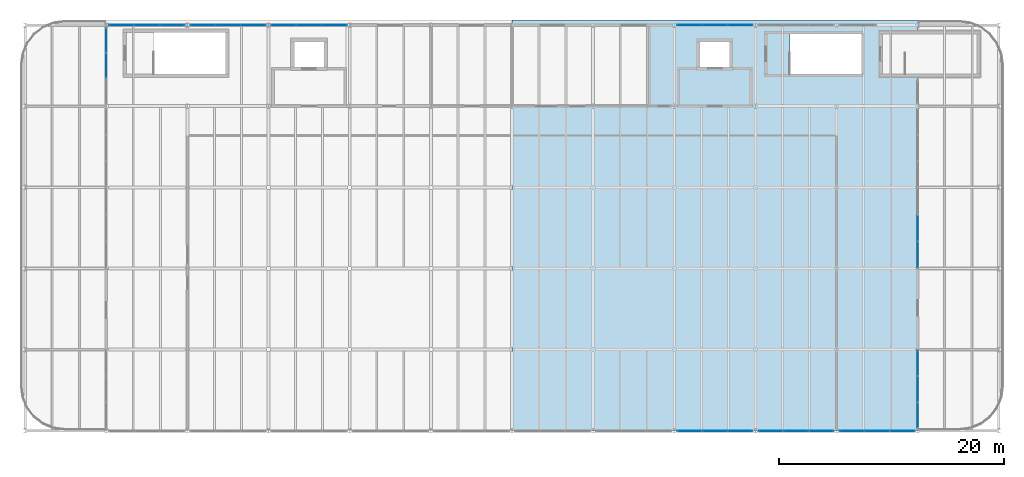
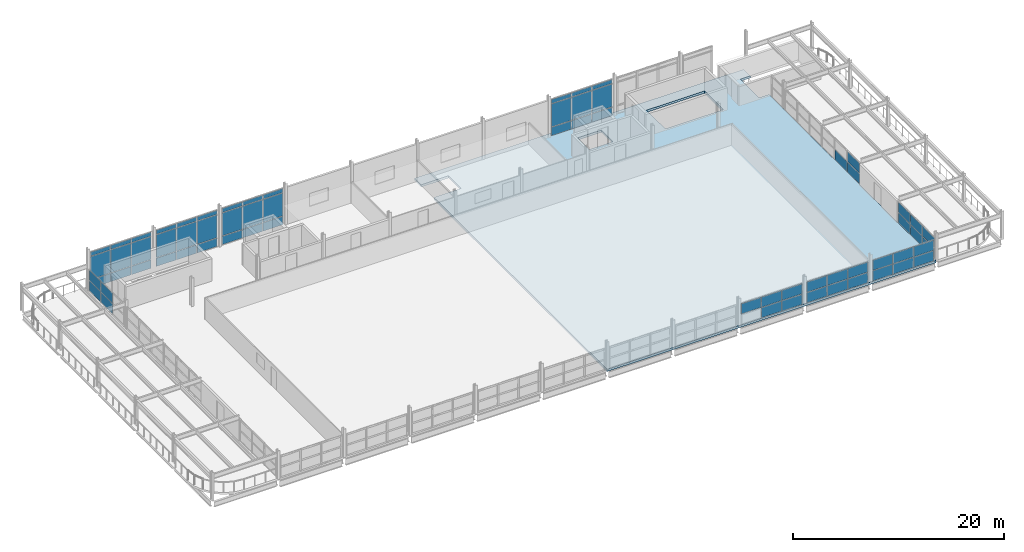
# One storey, part 19 of 25: 66 plates, 1 slab, 10 elements without a shape of their own.
"""IFC4 building model written with IfcOpenShell, lengths in metres."""

from ifc_helpers import new_model, si_unit, direction, frame, origin, origin_2d, place, context, subcontext, project, spatial, polyline, rectangle, outline, extrude, material, layer, layer_set, type_object, element, aggregate, save


model = new_model("IFC4")

# Units and contexts
model_context = context("Model", 3, precision=1e-05, world=origin(), true_north=direction((0.0, 1.0)))
body_context = subcontext(model_context, "Body", "Model", "MODEL_VIEW")
ifc_project = project(units=[si_unit("LENGTHUNIT", "METRE"), si_unit("AREAUNIT", "SQUARE_METRE"), si_unit("VOLUMEUNIT", "CUBIC_METRE"), si_unit("PLANEANGLEUNIT", "RADIAN"), si_unit("MASSUNIT", "GRAM", prefix="KILO")], contexts=[model_context])

# Site, building, storey
site_placement = place(None, origin())
site = spatial("IfcSite", under=ifc_project, at=site_placement, CompositionType="ELEMENT")
building_placement = place(site_placement, origin())
building = spatial("IfcBuilding", under=site, at=building_placement, Name="Vaelcorin Mobility Hub", CompositionType="ELEMENT")
storey_placement = place(building_placement, frame((0.0, 0.0, 21.0)))
storey = spatial("IfcBuildingStorey", under=building, at=storey_placement, Name="L05", CompositionType="ELEMENT", Elevation=21.0)

# Curtain wall, plates
ifc_material_1 = material(Name="Anodised aluminium 6063-T6", Category="aluminium")
curtain_wall_type_1 = type_object("IfcCurtainWallType", Name="CW-SPT-A", PredefinedType="NOTDEFINED", material=ifc_material_1)
curtain_wall_1_placement = place(storey_placement, origin())
curtain_wall_1 = element("IfcCurtainWall", 1, at=curtain_wall_1_placement, inside=storey, type_object=curtain_wall_type_1, Name="L05 Curtain Wall CW-V3-S-08", PredefinedType="NOTDEFINED")
ifc_material_2 = material(Name="Low-E solar-control insulated glazing", Category="glass")
ifc_layer_1 = layer(ifc_material_2, 0.028076171875)
ifc_layer_set_1 = layer_set([ifc_layer_1], Name="Low-E solar-control insulated glazing")
plate_type_1 = type_object("IfcPlateType", Name="CW-PAN-GLZ28", PredefinedType="CURTAIN_PANEL", material=ifc_layer_set_1)
plate_1_placement = place(storey_placement, frame((99.438232421875, 84.0, 0.06005859375), z_axis=(0.0, 0.0, 1.0), x_axis=(-1.0, 0.0, 0.0)))
plate_1 = element("IfcPlate", 2, at=plate_1_placement, type_object=plate_type_1, Name="CW5 panel 1.1", PredefinedType="CURTAIN_PANEL", context=body_context, shape_type="SweptSolid", body=[
    extrude(rectangle(XDim=2.163330078125, YDim=0.028076171875, at=origin_2d()), origin(), (0.0, 0.0, 1.0), 1.159912109375),
])
plate_2_placement = place(storey_placement, frame((99.438232421875, 84.0, 1.2802734375), z_axis=(0.0, 0.0, 1.0), x_axis=(-1.0, 0.0, 0.0)))
plate_2 = element("IfcPlate", 3, at=plate_2_placement, type_object=plate_type_1, Name="CW5 panel 1.2", PredefinedType="CURTAIN_PANEL", context=body_context, shape_type="SweptSolid", body=[
    extrude(rectangle(XDim=2.163330078125, YDim=0.028076171875, at=origin_2d()), origin(), (0.0, 0.0, 1.0), 1.159912109375),
])
plate_3_placement = place(storey_placement, frame((97.199951171875, 84.0, 0.06005859375), z_axis=(0.0, 0.0, 1.0), x_axis=(-1.0, 0.0, 0.0)))
plate_3 = element("IfcPlate", 4, at=plate_3_placement, type_object=plate_type_1, Name="CW5 panel 2.1", PredefinedType="CURTAIN_PANEL", context=body_context, shape_type="SweptSolid", body=[
    extrude(rectangle(XDim=2.193359375, YDim=0.028076171875, at=origin_2d()), origin(), (0.0, 0.0, 1.0), 1.159912109375),
])
plate_4_placement = place(storey_placement, frame((97.199951171875, 84.0, 1.2802734375), z_axis=(0.0, 0.0, 1.0), x_axis=(-1.0, 0.0, 0.0)))
plate_4 = element("IfcPlate", 5, at=plate_4_placement, type_object=plate_type_1, Name="CW5 panel 2.2", PredefinedType="CURTAIN_PANEL", context=body_context, shape_type="SweptSolid", body=[
    extrude(rectangle(XDim=2.193359375, YDim=0.028076171875, at=origin_2d()), origin(), (0.0, 0.0, 1.0), 1.159912109375),
])
plate_5_placement = place(storey_placement, frame((94.961669921875, 84.0, 1.2802734375), z_axis=(0.0, 0.0, 1.0), x_axis=(-1.0, 0.0, 0.0)))
plate_5 = element("IfcPlate", 6, at=plate_5_placement, type_object=plate_type_1, Name="CW5 panel 3.2", PredefinedType="CURTAIN_PANEL", context=body_context, shape_type="SweptSolid", body=[
    extrude(rectangle(XDim=2.163330078125, YDim=0.028076171875, at=origin_2d()), origin(), (0.0, 0.0, 1.0), 1.159912109375),
])
aggregate(curtain_wall_1, [plate_1, plate_2, plate_3, plate_4, plate_5])

curtain_wall_2_placement = place(storey_placement, origin())
curtain_wall_2 = element("IfcCurtainWall", 7, at=curtain_wall_2_placement, inside=storey, type_object=curtain_wall_type_1, Name="L05 Curtain Wall CW-V3-S-09", PredefinedType="NOTDEFINED")
plate_6_placement = place(storey_placement, frame((106.638427734375, 84.0, 0.06005859375), z_axis=(0.0, 0.0, 1.0), x_axis=(-1.0, 0.0, 0.0)))
plate_6 = element("IfcPlate", 8, at=plate_6_placement, type_object=plate_type_1, Name="CW5 panel 1.1", PredefinedType="CURTAIN_PANEL", context=body_context, shape_type="SweptSolid", body=[
    extrude(rectangle(XDim=2.163330078125, YDim=0.028076171875, at=origin_2d()), origin(), (0.0, 0.0, 1.0), 1.159912109375),
])
plate_7_placement = place(storey_placement, frame((106.638427734375, 84.0, 1.2802734375), z_axis=(0.0, 0.0, 1.0), x_axis=(-1.0, 0.0, 0.0)))
plate_7 = element("IfcPlate", 9, at=plate_7_placement, type_object=plate_type_1, Name="CW5 panel 1.2", PredefinedType="CURTAIN_PANEL", context=body_context, shape_type="SweptSolid", body=[
    extrude(rectangle(XDim=2.163330078125, YDim=0.028076171875, at=origin_2d()), origin(), (0.0, 0.0, 1.0), 1.159912109375),
])
plate_8_placement = place(storey_placement, frame((104.39990234375, 84.0, 0.06005859375), z_axis=(0.0, 0.0, 1.0), x_axis=(-1.0, 0.0, 0.0)))
plate_8 = element("IfcPlate", 10, at=plate_8_placement, type_object=plate_type_1, Name="CW5 panel 2.1", PredefinedType="CURTAIN_PANEL", context=body_context, shape_type="SweptSolid", body=[
    extrude(rectangle(XDim=2.193359375, YDim=0.028076171875, at=origin_2d()), origin(), (0.0, 0.0, 1.0), 1.159912109375),
])
plate_9_placement = place(storey_placement, frame((104.39990234375, 84.0, 1.2802734375), z_axis=(0.0, 0.0, 1.0), x_axis=(-1.0, 0.0, 0.0)))
plate_9 = element("IfcPlate", 11, at=plate_9_placement, type_object=plate_type_1, Name="CW5 panel 2.2", PredefinedType="CURTAIN_PANEL", context=body_context, shape_type="SweptSolid", body=[
    extrude(rectangle(XDim=2.193359375, YDim=0.028076171875, at=origin_2d()), origin(), (0.0, 0.0, 1.0), 1.159912109375),
])
plate_10_placement = place(storey_placement, frame((102.16162109375, 84.0, 0.06005859375), z_axis=(0.0, 0.0, 1.0), x_axis=(-1.0, 0.0, 0.0)))
plate_10 = element("IfcPlate", 12, at=plate_10_placement, type_object=plate_type_1, Name="CW5 panel 3.1", PredefinedType="CURTAIN_PANEL", context=body_context, shape_type="SweptSolid", body=[
    extrude(rectangle(XDim=2.163330078125, YDim=0.028076171875, at=origin_2d()), origin(), (0.0, 0.0, 1.0), 1.159912109375),
])
plate_11_placement = place(storey_placement, frame((102.16162109375, 84.0, 1.2802734375), z_axis=(0.0, 0.0, 1.0), x_axis=(-1.0, 0.0, 0.0)))
plate_11 = element("IfcPlate", 13, at=plate_11_placement, type_object=plate_type_1, Name="CW5 panel 3.2", PredefinedType="CURTAIN_PANEL", context=body_context, shape_type="SweptSolid", body=[
    extrude(rectangle(XDim=2.163330078125, YDim=0.028076171875, at=origin_2d()), origin(), (0.0, 0.0, 1.0), 1.159912109375),
])
aggregate(curtain_wall_2, [plate_6, plate_7, plate_8, plate_9, plate_10, plate_11])

curtain_wall_3_placement = place(storey_placement, origin())
curtain_wall_3 = element("IfcCurtainWall", 14, at=curtain_wall_3_placement, inside=storey, type_object=curtain_wall_type_1, Name="L05 Curtain Wall CW-V3-S-10", PredefinedType="NOTDEFINED")
plate_12_placement = place(storey_placement, frame((113.83837890625, 84.0, 0.06005859375), z_axis=(0.0, 0.0, 1.0), x_axis=(-1.0, 0.0, 0.0)))
plate_12 = element("IfcPlate", 15, at=plate_12_placement, type_object=plate_type_1, Name="CW5 panel 1.1", PredefinedType="CURTAIN_PANEL", context=body_context, shape_type="SweptSolid", body=[
    extrude(rectangle(XDim=2.163330078125, YDim=0.028076171875, at=origin_2d()), origin(), (0.0, 0.0, 1.0), 1.159912109375),
])
plate_13_placement = place(storey_placement, frame((113.83837890625, 84.0, 1.2802734375), z_axis=(0.0, 0.0, 1.0), x_axis=(-1.0, 0.0, 0.0)))
plate_13 = element("IfcPlate", 16, at=plate_13_placement, type_object=plate_type_1, Name="CW5 panel 1.2", PredefinedType="CURTAIN_PANEL", context=body_context, shape_type="SweptSolid", body=[
    extrude(rectangle(XDim=2.163330078125, YDim=0.028076171875, at=origin_2d()), origin(), (0.0, 0.0, 1.0), 1.159912109375),
])
plate_14_placement = place(storey_placement, frame((111.60009765625, 84.0, 0.06005859375), z_axis=(0.0, 0.0, 1.0), x_axis=(-1.0, 0.0, 0.0)))
plate_14 = element("IfcPlate", 17, at=plate_14_placement, type_object=plate_type_1, Name="CW5 panel 2.1", PredefinedType="CURTAIN_PANEL", context=body_context, shape_type="SweptSolid", body=[
    extrude(rectangle(XDim=2.193359375, YDim=0.028076171875, at=origin_2d()), origin(), (0.0, 0.0, 1.0), 1.159912109375),
])
plate_15_placement = place(storey_placement, frame((111.60009765625, 84.0, 1.2802734375), z_axis=(0.0, 0.0, 1.0), x_axis=(-1.0, 0.0, 0.0)))
plate_15 = element("IfcPlate", 18, at=plate_15_placement, type_object=plate_type_1, Name="CW5 panel 2.2", PredefinedType="CURTAIN_PANEL", context=body_context, shape_type="SweptSolid", body=[
    extrude(rectangle(XDim=2.193359375, YDim=0.028076171875, at=origin_2d()), origin(), (0.0, 0.0, 1.0), 1.159912109375),
])
plate_16_placement = place(storey_placement, frame((109.361572265625, 84.0, 0.06005859375), z_axis=(0.0, 0.0, 1.0), x_axis=(-1.0, 0.0, 0.0)))
plate_16 = element("IfcPlate", 19, at=plate_16_placement, type_object=plate_type_1, Name="CW5 panel 3.1", PredefinedType="CURTAIN_PANEL", context=body_context, shape_type="SweptSolid", body=[
    extrude(rectangle(XDim=2.163330078125, YDim=0.028076171875, at=origin_2d()), origin(), (0.0, 0.0, 1.0), 1.159912109375),
])
plate_17_placement = place(storey_placement, frame((109.361572265625, 84.0, 1.2802734375), z_axis=(0.0, 0.0, 1.0), x_axis=(-1.0, 0.0, 0.0)))
plate_17 = element("IfcPlate", 20, at=plate_17_placement, type_object=plate_type_1, Name="CW5 panel 3.2", PredefinedType="CURTAIN_PANEL", context=body_context, shape_type="SweptSolid", body=[
    extrude(rectangle(XDim=2.163330078125, YDim=0.028076171875, at=origin_2d()), origin(), (0.0, 0.0, 1.0), 1.159912109375),
])
aggregate(curtain_wall_3, [plate_12, plate_13, plate_14, plate_15, plate_16, plate_17])

curtain_wall_type_2 = type_object("IfcCurtainWallType", Name="CW-SPT-B", PredefinedType="NOTDEFINED", material=ifc_material_1)
curtain_wall_4_placement = place(storey_placement, origin())
curtain_wall_4 = element("IfcCurtainWall", 21, at=curtain_wall_4_placement, inside=storey, type_object=curtain_wall_type_2, Name="L05 Curtain Wall CW-V3-E-01", PredefinedType="NOTDEFINED")
plate_18_placement = place(storey_placement, frame((115.199951171875, 90.02001953125, 0.06005859375), z_axis=(0.0, 0.0, 1.0), x_axis=(0.0, -1.0, 0.0)))
plate_18 = element("IfcPlate", 22, at=plate_18_placement, type_object=plate_type_1, Name="CW6 panel 1.1", PredefinedType="CURTAIN_PANEL", context=body_context, shape_type="SweptSolid", body=[
    extrude(rectangle(XDim=2.236083984375, YDim=0.028076171875, at=origin_2d()), origin(), (0.0, 0.0, 1.0), 1.159912109375),
])
plate_19_placement = place(storey_placement, frame((115.199951171875, 90.02001953125, 1.2802734375), z_axis=(0.0, 0.0, 1.0), x_axis=(0.0, -1.0, 0.0)))
plate_19 = element("IfcPlate", 23, at=plate_19_placement, type_object=plate_type_1, Name="CW6 panel 1.2", PredefinedType="CURTAIN_PANEL", context=body_context, shape_type="SweptSolid", body=[
    extrude(rectangle(XDim=2.236083984375, YDim=0.028076171875, at=origin_2d()), origin(), (0.0, 0.0, 1.0), 1.159912109375),
])
plate_20_placement = place(storey_placement, frame((115.199951171875, 87.708984375, 0.06005859375), z_axis=(0.0, 0.0, 1.0), x_axis=(0.0, -1.0, 0.0)))
plate_20 = element("IfcPlate", 24, at=plate_20_placement, type_object=plate_type_1, Name="CW6 panel 2.1", PredefinedType="CURTAIN_PANEL", context=body_context, shape_type="SweptSolid", body=[
    extrude(rectangle(XDim=2.26611328125, YDim=0.028076171875, at=origin_2d()), origin(), (0.0, 0.0, 1.0), 1.159912109375),
])
plate_21_placement = place(storey_placement, frame((115.199951171875, 87.708984375, 1.2802734375), z_axis=(0.0, 0.0, 1.0), x_axis=(0.0, -1.0, 0.0)))
plate_21 = element("IfcPlate", 25, at=plate_21_placement, type_object=plate_type_1, Name="CW6 panel 2.2", PredefinedType="CURTAIN_PANEL", context=body_context, shape_type="SweptSolid", body=[
    extrude(rectangle(XDim=2.26611328125, YDim=0.028076171875, at=origin_2d()), origin(), (0.0, 0.0, 1.0), 1.159912109375),
])
plate_22_placement = place(storey_placement, frame((115.199951171875, 85.39794921875, 0.06005859375), z_axis=(0.0, 0.0, 1.0), x_axis=(0.0, -1.0, 0.0)))
plate_22 = element("IfcPlate", 26, at=plate_22_placement, type_object=plate_type_1, Name="CW6 panel 3.1", PredefinedType="CURTAIN_PANEL", context=body_context, shape_type="SweptSolid", body=[
    extrude(rectangle(XDim=2.236083984375, YDim=0.028076171875, at=origin_2d()), origin(), (0.0, 0.0, 1.0), 1.159912109375),
])
plate_23_placement = place(storey_placement, frame((115.199951171875, 85.39794921875, 1.2802734375), z_axis=(0.0, 0.0, 1.0), x_axis=(0.0, -1.0, 0.0)))
plate_23 = element("IfcPlate", 27, at=plate_23_placement, type_object=plate_type_1, Name="CW6 panel 3.2", PredefinedType="CURTAIN_PANEL", context=body_context, shape_type="SweptSolid", body=[
    extrude(rectangle(XDim=2.236083984375, YDim=0.028076171875, at=origin_2d()), origin(), (0.0, 0.0, 1.0), 1.159912109375),
])
aggregate(curtain_wall_4, [plate_18, plate_19, plate_20, plate_21, plate_22, plate_23])

curtain_wall_5_placement = place(storey_placement, origin())
curtain_wall_5 = element("IfcCurtainWall", 28, at=curtain_wall_5_placement, inside=storey, type_object=curtain_wall_type_2, Name="L05 Curtain Wall CW-V3-E-03", PredefinedType="NOTDEFINED")
plate_24_placement = place(storey_placement, frame((115.199951171875, 102.0, 0.06005859375), z_axis=(0.0, 0.0, 1.0), x_axis=(0.0, -1.0, 0.0)))
plate_24 = element("IfcPlate", 29, at=plate_24_placement, type_object=plate_type_1, Name="CW6 panel 2.1", PredefinedType="CURTAIN_PANEL", context=body_context, shape_type="SweptSolid", body=[
    extrude(rectangle(XDim=2.338623046875, YDim=0.028076171875, at=origin_2d()), origin(), (0.0, 0.0, 1.0), 1.159912109375),
])
plate_25_placement = place(storey_placement, frame((115.199951171875, 99.616455078125, 0.06005859375), z_axis=(0.0, 0.0, 1.0), x_axis=(0.0, -1.0, 0.0)))
plate_25 = element("IfcPlate", 30, at=plate_25_placement, type_object=plate_type_1, Name="CW6 panel 3.1", PredefinedType="CURTAIN_PANEL", context=body_context, shape_type="SweptSolid", body=[
    extrude(rectangle(XDim=2.30859375, YDim=0.028076171875, at=origin_2d()), origin(), (0.0, 0.0, 1.0), 1.159912109375),
])
plate_26_placement = place(storey_placement, frame((115.199951171875, 99.616455078125, 1.2802734375), z_axis=(0.0, 0.0, 1.0), x_axis=(0.0, -1.0, 0.0)))
plate_26 = element("IfcPlate", 31, at=plate_26_placement, type_object=plate_type_1, Name="CW6 panel 3.2", PredefinedType="CURTAIN_PANEL", context=body_context, shape_type="SweptSolid", body=[
    extrude(rectangle(XDim=2.30859375, YDim=0.028076171875, at=origin_2d()), origin(), (0.0, 0.0, 1.0), 1.159912109375),
])
aggregate(curtain_wall_5, [plate_24, plate_25, plate_26])

curtain_wall_6_placement = place(storey_placement, origin())
curtain_wall_6 = element("IfcCurtainWall", 32, at=curtain_wall_6_placement, inside=storey, type_object=curtain_wall_type_1, Name="L05 Curtain Wall CW-V3-W-05", PredefinedType="NOTDEFINED")
plate_27_placement = place(storey_placement, frame((43.199951171875, 116.39990234375, 0.06005859375), z_axis=(0.0, 0.0, 1.0), x_axis=(0.0, 1.0, 0.0)))
plate_27 = element("IfcPlate", 33, at=plate_27_placement, type_object=plate_type_1, Name="CW5 panel 2.1", PredefinedType="CURTAIN_PANEL", context=body_context, shape_type="SweptSolid", body=[
    extrude(rectangle(XDim=2.193359375, YDim=0.028076171875, at=origin_2d()), origin(), (0.0, 0.0, 1.0), 1.159912109375),
])
plate_28_placement = place(storey_placement, frame((43.199951171875, 116.39990234375, 1.2802734375), z_axis=(0.0, 0.0, 1.0), x_axis=(0.0, 1.0, 0.0)))
plate_28 = element("IfcPlate", 34, at=plate_28_placement, type_object=plate_type_1, Name="CW5 panel 2.2", PredefinedType="CURTAIN_PANEL", context=body_context, shape_type="SweptSolid", body=[
    extrude(rectangle(XDim=2.193359375, YDim=0.028076171875, at=origin_2d()), origin(), (0.0, 0.0, 1.0), 1.159912109375),
])
plate_29_placement = place(storey_placement, frame((43.199951171875, 118.638427734375, 0.06005859375), z_axis=(0.0, 0.0, 1.0), x_axis=(0.0, 1.0, 0.0)))
plate_29 = element("IfcPlate", 35, at=plate_29_placement, type_object=plate_type_1, Name="CW5 panel 3.1", PredefinedType="CURTAIN_PANEL", context=body_context, shape_type="SweptSolid", body=[
    extrude(rectangle(XDim=2.163330078125, YDim=0.028076171875, at=origin_2d()), origin(), (0.0, 0.0, 1.0), 1.159912109375),
])
plate_30_placement = place(storey_placement, frame((43.199951171875, 118.638427734375, 1.2802734375), z_axis=(0.0, 0.0, 1.0), x_axis=(0.0, 1.0, 0.0)))
plate_30 = element("IfcPlate", 36, at=plate_30_placement, type_object=plate_type_1, Name="CW5 panel 3.2", PredefinedType="CURTAIN_PANEL", context=body_context, shape_type="SweptSolid", body=[
    extrude(rectangle(XDim=2.163330078125, YDim=0.028076171875, at=origin_2d()), origin(), (0.0, 0.0, 1.0), 1.159912109375),
])
aggregate(curtain_wall_6, [plate_27, plate_28, plate_29, plate_30])

curtain_wall_7_placement = place(storey_placement, origin())
curtain_wall_7 = element("IfcCurtainWall", 37, at=curtain_wall_7_placement, inside=storey, type_object=curtain_wall_type_2, Name="L05 Curtain Wall CW-V3-N-01", PredefinedType="NOTDEFINED")
ifc_layer_2 = layer(ifc_material_2, 0.031982421875)
ifc_layer_set_2 = layer_set([ifc_layer_2], Name="Low-E solar-control insulated glazing")
plate_type_2 = type_object("IfcPlateType", Name="CW-PAN-GLZ32", PredefinedType="CURTAIN_PANEL", material=ifc_layer_set_2)
plate_31_placement = place(storey_placement, frame((44.561767578125, 120.0, 0.06005859375), z_axis=(0.0, 0.0, 1.0), x_axis=(1.0, 0.0, 0.0)))
plate_31 = element("IfcPlate", 38, at=plate_31_placement, type_object=plate_type_2, Name="CW6 panel 1.1", PredefinedType="CURTAIN_PANEL", context=body_context, shape_type="SweptSolid", body=[
    extrude(rectangle(XDim=2.163330078125, YDim=0.028076171875, at=origin_2d()), origin(), (0.0, 0.0, 1.0), 0.9599609375),
])
plate_32_placement = place(storey_placement, frame((44.561767578125, 120.0, 1.080078125), z_axis=(0.0, 0.0, 1.0), x_axis=(1.0, 0.0, 0.0)))
plate_32 = element("IfcPlate", 39, at=plate_32_placement, type_object=plate_type_2, Name="CW6 panel 1.2", PredefinedType="CURTAIN_PANEL", context=body_context, shape_type="SweptSolid", body=[
    extrude(rectangle(XDim=2.163330078125, YDim=0.028076171875, at=origin_2d()), origin(), (0.0, 0.0, 1.0), 2.639892578125),
])
plate_33_placement = place(storey_placement, frame((44.561767578125, 120.0, 3.780029296875), z_axis=(0.0, 0.0, 1.0), x_axis=(1.0, 0.0, 0.0)))
plate_33 = element("IfcPlate", 40, at=plate_33_placement, type_object=plate_type_2, Name="CW6 panel 1.3", PredefinedType="CURTAIN_PANEL", context=body_context, shape_type="SweptSolid", body=[
    extrude(rectangle(XDim=2.163330078125, YDim=0.028076171875, at=origin_2d()), origin(), (0.0, 0.0, 1.0), 0.4599609375),
])
plate_34_placement = place(storey_placement, frame((46.800048828125, 120.0, 0.06005859375), z_axis=(0.0, 0.0, 1.0), x_axis=(1.0, 0.0, 0.0)))
plate_34 = element("IfcPlate", 41, at=plate_34_placement, type_object=plate_type_2, Name="CW6 panel 2.1", PredefinedType="CURTAIN_PANEL", context=body_context, shape_type="SweptSolid", body=[
    extrude(rectangle(XDim=2.193359375, YDim=0.028076171875, at=origin_2d()), origin(), (0.0, 0.0, 1.0), 0.9599609375),
])
plate_35_placement = place(storey_placement, frame((46.800048828125, 120.0, 1.080078125), z_axis=(0.0, 0.0, 1.0), x_axis=(1.0, 0.0, 0.0)))
plate_35 = element("IfcPlate", 42, at=plate_35_placement, type_object=plate_type_2, Name="CW6 panel 2.2", PredefinedType="CURTAIN_PANEL", context=body_context, shape_type="SweptSolid", body=[
    extrude(rectangle(XDim=2.193359375, YDim=0.028076171875, at=origin_2d()), origin(), (0.0, 0.0, 1.0), 2.639892578125),
])
plate_36_placement = place(storey_placement, frame((46.800048828125, 120.0, 3.780029296875), z_axis=(0.0, 0.0, 1.0), x_axis=(1.0, 0.0, 0.0)))
plate_36 = element("IfcPlate", 43, at=plate_36_placement, type_object=plate_type_2, Name="CW6 panel 2.3", PredefinedType="CURTAIN_PANEL", context=body_context, shape_type="SweptSolid", body=[
    extrude(rectangle(XDim=2.193359375, YDim=0.028076171875, at=origin_2d()), origin(), (0.0, 0.0, 1.0), 0.4599609375),
])
plate_37_placement = place(storey_placement, frame((49.038330078125, 120.0, 0.06005859375), z_axis=(0.0, 0.0, 1.0), x_axis=(1.0, 0.0, 0.0)))
plate_37 = element("IfcPlate", 44, at=plate_37_placement, type_object=plate_type_2, Name="CW6 panel 3.1", PredefinedType="CURTAIN_PANEL", context=body_context, shape_type="SweptSolid", body=[
    extrude(rectangle(XDim=2.163330078125, YDim=0.028076171875, at=origin_2d()), origin(), (0.0, 0.0, 1.0), 0.9599609375),
])
plate_38_placement = place(storey_placement, frame((49.038330078125, 120.0, 1.080078125), z_axis=(0.0, 0.0, 1.0), x_axis=(1.0, 0.0, 0.0)))
plate_38 = element("IfcPlate", 45, at=plate_38_placement, type_object=plate_type_2, Name="CW6 panel 3.2", PredefinedType="CURTAIN_PANEL", context=body_context, shape_type="SweptSolid", body=[
    extrude(rectangle(XDim=2.163330078125, YDim=0.028076171875, at=origin_2d()), origin(), (0.0, 0.0, 1.0), 2.639892578125),
])
plate_39_placement = place(storey_placement, frame((49.038330078125, 120.0, 3.780029296875), z_axis=(0.0, 0.0, 1.0), x_axis=(1.0, 0.0, 0.0)))
plate_39 = element("IfcPlate", 46, at=plate_39_placement, type_object=plate_type_2, Name="CW6 panel 3.3", PredefinedType="CURTAIN_PANEL", context=body_context, shape_type="SweptSolid", body=[
    extrude(rectangle(XDim=2.163330078125, YDim=0.028076171875, at=origin_2d()), origin(), (0.0, 0.0, 1.0), 0.4599609375),
])
aggregate(curtain_wall_7, [plate_31, plate_32, plate_33, plate_34, plate_35, plate_36, plate_37, plate_38, plate_39])

curtain_wall_8_placement = place(storey_placement, origin())
curtain_wall_8 = element("IfcCurtainWall", 47, at=curtain_wall_8_placement, inside=storey, type_object=curtain_wall_type_2, Name="L05 Curtain Wall CW-V3-N-02", PredefinedType="NOTDEFINED")
plate_40_placement = place(storey_placement, frame((51.76171875, 120.0, 0.06005859375), z_axis=(0.0, 0.0, 1.0), x_axis=(1.0, 0.0, 0.0)))
plate_40 = element("IfcPlate", 48, at=plate_40_placement, type_object=plate_type_2, Name="CW6 panel 1.1", PredefinedType="CURTAIN_PANEL", context=body_context, shape_type="SweptSolid", body=[
    extrude(rectangle(XDim=2.163330078125, YDim=0.028076171875, at=origin_2d()), origin(), (0.0, 0.0, 1.0), 0.9599609375),
])
plate_41_placement = place(storey_placement, frame((51.76171875, 120.0, 1.080078125), z_axis=(0.0, 0.0, 1.0), x_axis=(1.0, 0.0, 0.0)))
plate_41 = element("IfcPlate", 49, at=plate_41_placement, type_object=plate_type_2, Name="CW6 panel 1.2", PredefinedType="CURTAIN_PANEL", context=body_context, shape_type="SweptSolid", body=[
    extrude(rectangle(XDim=2.163330078125, YDim=0.028076171875, at=origin_2d()), origin(), (0.0, 0.0, 1.0), 2.639892578125),
])
plate_42_placement = place(storey_placement, frame((51.76171875, 120.0, 3.780029296875), z_axis=(0.0, 0.0, 1.0), x_axis=(1.0, 0.0, 0.0)))
plate_42 = element("IfcPlate", 50, at=plate_42_placement, type_object=plate_type_2, Name="CW6 panel 1.3", PredefinedType="CURTAIN_PANEL", context=body_context, shape_type="SweptSolid", body=[
    extrude(rectangle(XDim=2.163330078125, YDim=0.028076171875, at=origin_2d()), origin(), (0.0, 0.0, 1.0), 0.4599609375),
])
plate_43_placement = place(storey_placement, frame((54.0, 120.0, 0.06005859375), z_axis=(0.0, 0.0, 1.0), x_axis=(1.0, 0.0, 0.0)))
plate_43 = element("IfcPlate", 51, at=plate_43_placement, type_object=plate_type_2, Name="CW6 panel 2.1", PredefinedType="CURTAIN_PANEL", context=body_context, shape_type="SweptSolid", body=[
    extrude(rectangle(XDim=2.193359375, YDim=0.028076171875, at=origin_2d()), origin(), (0.0, 0.0, 1.0), 0.9599609375),
])
plate_44_placement = place(storey_placement, frame((54.0, 120.0, 1.080078125), z_axis=(0.0, 0.0, 1.0), x_axis=(1.0, 0.0, 0.0)))
plate_44 = element("IfcPlate", 52, at=plate_44_placement, type_object=plate_type_2, Name="CW6 panel 2.2", PredefinedType="CURTAIN_PANEL", context=body_context, shape_type="SweptSolid", body=[
    extrude(rectangle(XDim=2.193359375, YDim=0.028076171875, at=origin_2d()), origin(), (0.0, 0.0, 1.0), 2.639892578125),
])
plate_45_placement = place(storey_placement, frame((54.0, 120.0, 3.780029296875), z_axis=(0.0, 0.0, 1.0), x_axis=(1.0, 0.0, 0.0)))
plate_45 = element("IfcPlate", 53, at=plate_45_placement, type_object=plate_type_2, Name="CW6 panel 2.3", PredefinedType="CURTAIN_PANEL", context=body_context, shape_type="SweptSolid", body=[
    extrude(rectangle(XDim=2.193359375, YDim=0.028076171875, at=origin_2d()), origin(), (0.0, 0.0, 1.0), 0.4599609375),
])
plate_46_placement = place(storey_placement, frame((56.23828125, 120.0, 0.06005859375), z_axis=(0.0, 0.0, 1.0), x_axis=(1.0, 0.0, 0.0)))
plate_46 = element("IfcPlate", 54, at=plate_46_placement, type_object=plate_type_2, Name="CW6 panel 3.1", PredefinedType="CURTAIN_PANEL", context=body_context, shape_type="SweptSolid", body=[
    extrude(rectangle(XDim=2.163330078125, YDim=0.028076171875, at=origin_2d()), origin(), (0.0, 0.0, 1.0), 0.9599609375),
])
plate_47_placement = place(storey_placement, frame((56.23828125, 120.0, 1.080078125), z_axis=(0.0, 0.0, 1.0), x_axis=(1.0, 0.0, 0.0)))
plate_47 = element("IfcPlate", 55, at=plate_47_placement, type_object=plate_type_2, Name="CW6 panel 3.2", PredefinedType="CURTAIN_PANEL", context=body_context, shape_type="SweptSolid", body=[
    extrude(rectangle(XDim=2.163330078125, YDim=0.028076171875, at=origin_2d()), origin(), (0.0, 0.0, 1.0), 2.639892578125),
])
plate_48_placement = place(storey_placement, frame((56.23828125, 120.0, 3.780029296875), z_axis=(0.0, 0.0, 1.0), x_axis=(1.0, 0.0, 0.0)))
plate_48 = element("IfcPlate", 56, at=plate_48_placement, type_object=plate_type_2, Name="CW6 panel 3.3", PredefinedType="CURTAIN_PANEL", context=body_context, shape_type="SweptSolid", body=[
    extrude(rectangle(XDim=2.163330078125, YDim=0.028076171875, at=origin_2d()), origin(), (0.0, 0.0, 1.0), 0.4599609375),
])
aggregate(curtain_wall_8, [plate_40, plate_41, plate_42, plate_43, plate_44, plate_45, plate_46, plate_47, plate_48])

curtain_wall_9_placement = place(storey_placement, origin())
curtain_wall_9 = element("IfcCurtainWall", 57, at=curtain_wall_9_placement, inside=storey, type_object=curtain_wall_type_2, Name="L05 Curtain Wall CW-V3-N-03", PredefinedType="NOTDEFINED")
plate_49_placement = place(storey_placement, frame((58.961669921875, 120.0, 0.06005859375), z_axis=(0.0, 0.0, 1.0), x_axis=(1.0, 0.0, 0.0)))
plate_49 = element("IfcPlate", 58, at=plate_49_placement, type_object=plate_type_2, Name="CW6 panel 1.1", PredefinedType="CURTAIN_PANEL", context=body_context, shape_type="SweptSolid", body=[
    extrude(rectangle(XDim=2.163330078125, YDim=0.028076171875, at=origin_2d()), origin(), (0.0, 0.0, 1.0), 0.9599609375),
])
plate_50_placement = place(storey_placement, frame((58.961669921875, 120.0, 1.080078125), z_axis=(0.0, 0.0, 1.0), x_axis=(1.0, 0.0, 0.0)))
plate_50 = element("IfcPlate", 59, at=plate_50_placement, type_object=plate_type_2, Name="CW6 panel 1.2", PredefinedType="CURTAIN_PANEL", context=body_context, shape_type="SweptSolid", body=[
    extrude(rectangle(XDim=2.163330078125, YDim=0.028076171875, at=origin_2d()), origin(), (0.0, 0.0, 1.0), 2.639892578125),
])
plate_51_placement = place(storey_placement, frame((58.961669921875, 120.0, 3.780029296875), z_axis=(0.0, 0.0, 1.0), x_axis=(1.0, 0.0, 0.0)))
plate_51 = element("IfcPlate", 60, at=plate_51_placement, type_object=plate_type_2, Name="CW6 panel 1.3", PredefinedType="CURTAIN_PANEL", context=body_context, shape_type="SweptSolid", body=[
    extrude(rectangle(XDim=2.163330078125, YDim=0.028076171875, at=origin_2d()), origin(), (0.0, 0.0, 1.0), 0.4599609375),
])
plate_52_placement = place(storey_placement, frame((61.199951171875, 120.0, 0.06005859375), z_axis=(0.0, 0.0, 1.0), x_axis=(1.0, 0.0, 0.0)))
plate_52 = element("IfcPlate", 61, at=plate_52_placement, type_object=plate_type_2, Name="CW6 panel 2.1", PredefinedType="CURTAIN_PANEL", context=body_context, shape_type="SweptSolid", body=[
    extrude(rectangle(XDim=2.193359375, YDim=0.028076171875, at=origin_2d()), origin(), (0.0, 0.0, 1.0), 0.9599609375),
])
plate_53_placement = place(storey_placement, frame((61.199951171875, 120.0, 1.080078125), z_axis=(0.0, 0.0, 1.0), x_axis=(1.0, 0.0, 0.0)))
plate_53 = element("IfcPlate", 62, at=plate_53_placement, type_object=plate_type_2, Name="CW6 panel 2.2", PredefinedType="CURTAIN_PANEL", context=body_context, shape_type="SweptSolid", body=[
    extrude(rectangle(XDim=2.193359375, YDim=0.028076171875, at=origin_2d()), origin(), (0.0, 0.0, 1.0), 2.639892578125),
])
plate_54_placement = place(storey_placement, frame((61.199951171875, 120.0, 3.780029296875), z_axis=(0.0, 0.0, 1.0), x_axis=(1.0, 0.0, 0.0)))
plate_54 = element("IfcPlate", 63, at=plate_54_placement, type_object=plate_type_2, Name="CW6 panel 2.3", PredefinedType="CURTAIN_PANEL", context=body_context, shape_type="SweptSolid", body=[
    extrude(rectangle(XDim=2.193359375, YDim=0.028076171875, at=origin_2d()), origin(), (0.0, 0.0, 1.0), 0.4599609375),
])
plate_55_placement = place(storey_placement, frame((63.438232421875, 120.0, 0.06005859375), z_axis=(0.0, 0.0, 1.0), x_axis=(1.0, 0.0, 0.0)))
plate_55 = element("IfcPlate", 64, at=plate_55_placement, type_object=plate_type_2, Name="CW6 panel 3.1", PredefinedType="CURTAIN_PANEL", context=body_context, shape_type="SweptSolid", body=[
    extrude(rectangle(XDim=2.163330078125, YDim=0.028076171875, at=origin_2d()), origin(), (0.0, 0.0, 1.0), 0.9599609375),
])
plate_56_placement = place(storey_placement, frame((63.438232421875, 120.0, 1.080078125), z_axis=(0.0, 0.0, 1.0), x_axis=(1.0, 0.0, 0.0)))
plate_56 = element("IfcPlate", 65, at=plate_56_placement, type_object=plate_type_2, Name="CW6 panel 3.2", PredefinedType="CURTAIN_PANEL", context=body_context, shape_type="SweptSolid", body=[
    extrude(rectangle(XDim=2.163330078125, YDim=0.028076171875, at=origin_2d()), origin(), (0.0, 0.0, 1.0), 2.639892578125),
])
plate_57_placement = place(storey_placement, frame((63.438232421875, 120.0, 3.780029296875), z_axis=(0.0, 0.0, 1.0), x_axis=(1.0, 0.0, 0.0)))
plate_57 = element("IfcPlate", 66, at=plate_57_placement, type_object=plate_type_2, Name="CW6 panel 3.3", PredefinedType="CURTAIN_PANEL", context=body_context, shape_type="SweptSolid", body=[
    extrude(rectangle(XDim=2.163330078125, YDim=0.028076171875, at=origin_2d()), origin(), (0.0, 0.0, 1.0), 0.4599609375),
])
aggregate(curtain_wall_9, [plate_49, plate_50, plate_51, plate_52, plate_53, plate_54, plate_55, plate_56, plate_57])

curtain_wall_10_placement = place(storey_placement, origin())
curtain_wall_10 = element("IfcCurtainWall", 67, at=curtain_wall_10_placement, inside=storey, type_object=curtain_wall_type_2, Name="L05 Curtain Wall CW-V3-N-08", PredefinedType="NOTDEFINED")
plate_58_placement = place(storey_placement, frame((94.961669921875, 120.0, 0.06005859375), z_axis=(0.0, 0.0, 1.0), x_axis=(1.0, 0.0, 0.0)))
plate_58 = element("IfcPlate", 68, at=plate_58_placement, type_object=plate_type_2, Name="CW6 panel 1.1", PredefinedType="CURTAIN_PANEL", context=body_context, shape_type="SweptSolid", body=[
    extrude(rectangle(XDim=2.163330078125, YDim=0.028076171875, at=origin_2d()), origin(), (0.0, 0.0, 1.0), 0.9599609375),
])
plate_59_placement = place(storey_placement, frame((94.961669921875, 120.0, 1.080078125), z_axis=(0.0, 0.0, 1.0), x_axis=(1.0, 0.0, 0.0)))
plate_59 = element("IfcPlate", 69, at=plate_59_placement, type_object=plate_type_2, Name="CW6 panel 1.2", PredefinedType="CURTAIN_PANEL", context=body_context, shape_type="SweptSolid", body=[
    extrude(rectangle(XDim=2.163330078125, YDim=0.028076171875, at=origin_2d()), origin(), (0.0, 0.0, 1.0), 2.639892578125),
])
plate_60_placement = place(storey_placement, frame((94.961669921875, 120.0, 3.780029296875), z_axis=(0.0, 0.0, 1.0), x_axis=(1.0, 0.0, 0.0)))
plate_60 = element("IfcPlate", 70, at=plate_60_placement, type_object=plate_type_2, Name="CW6 panel 1.3", PredefinedType="CURTAIN_PANEL", context=body_context, shape_type="SweptSolid", body=[
    extrude(rectangle(XDim=2.163330078125, YDim=0.028076171875, at=origin_2d()), origin(), (0.0, 0.0, 1.0), 0.4599609375),
])
plate_61_placement = place(storey_placement, frame((97.199951171875, 120.0, 0.06005859375), z_axis=(0.0, 0.0, 1.0), x_axis=(1.0, 0.0, 0.0)))
plate_61 = element("IfcPlate", 71, at=plate_61_placement, type_object=plate_type_2, Name="CW6 panel 2.1", PredefinedType="CURTAIN_PANEL", context=body_context, shape_type="SweptSolid", body=[
    extrude(rectangle(XDim=2.193359375, YDim=0.028076171875, at=origin_2d()), origin(), (0.0, 0.0, 1.0), 0.9599609375),
])
plate_62_placement = place(storey_placement, frame((97.199951171875, 120.0, 1.080078125), z_axis=(0.0, 0.0, 1.0), x_axis=(1.0, 0.0, 0.0)))
plate_62 = element("IfcPlate", 72, at=plate_62_placement, type_object=plate_type_2, Name="CW6 panel 2.2", PredefinedType="CURTAIN_PANEL", context=body_context, shape_type="SweptSolid", body=[
    extrude(rectangle(XDim=2.193359375, YDim=0.028076171875, at=origin_2d()), origin(), (0.0, 0.0, 1.0), 2.639892578125),
])
plate_63_placement = place(storey_placement, frame((97.199951171875, 120.0, 3.780029296875), z_axis=(0.0, 0.0, 1.0), x_axis=(1.0, 0.0, 0.0)))
plate_63 = element("IfcPlate", 73, at=plate_63_placement, type_object=plate_type_2, Name="CW6 panel 2.3", PredefinedType="CURTAIN_PANEL", context=body_context, shape_type="SweptSolid", body=[
    extrude(rectangle(XDim=2.193359375, YDim=0.028076171875, at=origin_2d()), origin(), (0.0, 0.0, 1.0), 0.4599609375),
])
plate_64_placement = place(storey_placement, frame((99.438232421875, 120.0, 0.06005859375), z_axis=(0.0, 0.0, 1.0), x_axis=(1.0, 0.0, 0.0)))
plate_64 = element("IfcPlate", 74, at=plate_64_placement, type_object=plate_type_2, Name="CW6 panel 3.1", PredefinedType="CURTAIN_PANEL", context=body_context, shape_type="SweptSolid", body=[
    extrude(rectangle(XDim=2.163330078125, YDim=0.028076171875, at=origin_2d()), origin(), (0.0, 0.0, 1.0), 0.9599609375),
])
plate_65_placement = place(storey_placement, frame((99.438232421875, 120.0, 1.080078125), z_axis=(0.0, 0.0, 1.0), x_axis=(1.0, 0.0, 0.0)))
plate_65 = element("IfcPlate", 75, at=plate_65_placement, type_object=plate_type_2, Name="CW6 panel 3.2", PredefinedType="CURTAIN_PANEL", context=body_context, shape_type="SweptSolid", body=[
    extrude(rectangle(XDim=2.163330078125, YDim=0.028076171875, at=origin_2d()), origin(), (0.0, 0.0, 1.0), 2.639892578125),
])
plate_66_placement = place(storey_placement, frame((99.438232421875, 120.0, 3.780029296875), z_axis=(0.0, 0.0, 1.0), x_axis=(1.0, 0.0, 0.0)))
plate_66 = element("IfcPlate", 76, at=plate_66_placement, type_object=plate_type_2, Name="CW6 panel 3.3", PredefinedType="CURTAIN_PANEL", context=body_context, shape_type="SweptSolid", body=[
    extrude(rectangle(XDim=2.163330078125, YDim=0.028076171875, at=origin_2d()), origin(), (0.0, 0.0, 1.0), 0.4599609375),
])
aggregate(curtain_wall_10, [plate_58, plate_59, plate_60, plate_61, plate_62, plate_63, plate_64, plate_65, plate_66])

# Slab
ifc_material_3 = material(Name="Concrete f'c 35 MPa", Category="concrete")
ifc_layer_3 = layer(ifc_material_3, 0.260009765625)
ifc_layer_set_3 = layer_set([ifc_layer_3], Name="Concrete f'c 35 MPa")
slab_type = type_object("IfcSlabType", Name="SLAB-SP5", PredefinedType="FLOOR", material=ifc_layer_set_3)
slab_placement = place(storey_placement, frame((0.0, 0.0, -0.260009765625)))
element("IfcSlab", 77, at=slab_placement, inside=storey, type_object=slab_type, Name="L05 Multi-Sport Pavilion Floor SL-V3-L05-E", PredefinedType="FLOOR", context=body_context, shape_type="SweptSolid", body=[
    extrude(outline(polyline([(115.199951171875, 119.2099609375), (114.10498046875, 119.2099609375), (114.10498046875, 115.64990234375), (115.199951171875, 115.64990234375), (115.199951171875, 84.0), (79.199951171875, 84.0), (79.199951171875, 116.800048828125), (82.199951171875, 116.800048828125), (82.199951171875, 119.199951171875), (79.199951171875, 119.199951171875), (79.199951171875, 120.449951171875), (115.199951171875, 120.449951171875), (115.199951171875, 119.2099609375)]), holes=[polyline([(95.89990234375, 116.300048828125), (98.5, 116.300048828125), (98.5, 118.5), (95.89990234375, 118.5), (95.89990234375, 116.300048828125)]), polyline([(103.85498046875, 115.64990234375), (110.199951171875, 115.64990234375), (110.199951171875, 119.2099609375), (103.85498046875, 119.2099609375), (103.85498046875, 115.64990234375)])]), origin(), (0.0, 0.0, 1.0), 0.260009765625),
])

save(model, "model.ifc")
